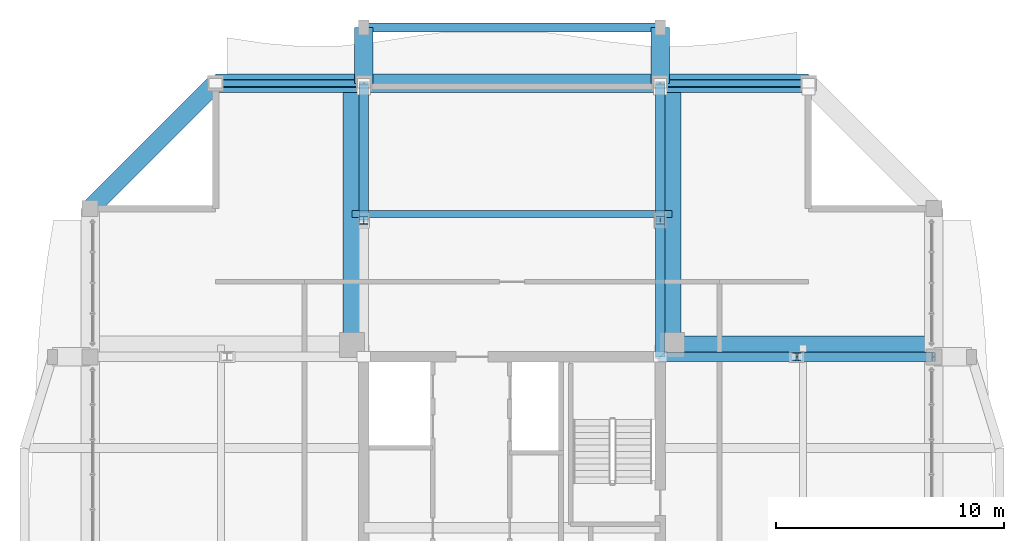
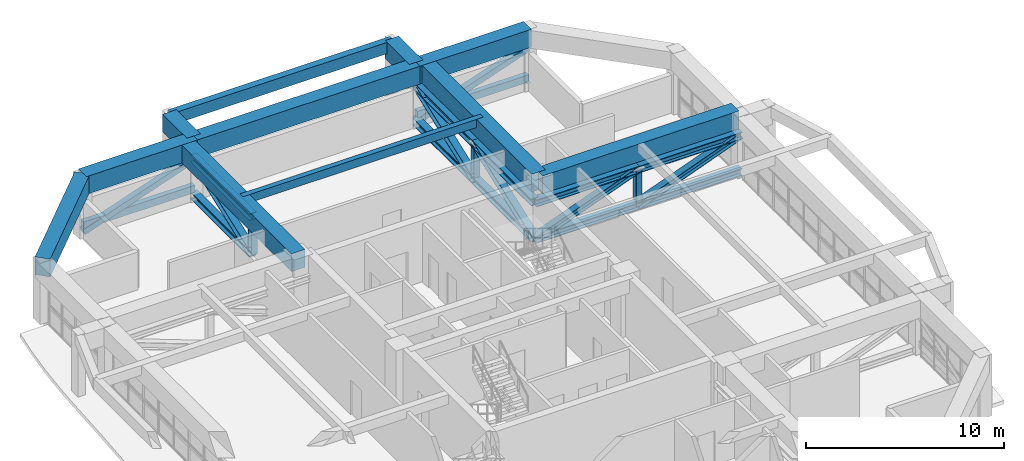
# One storey, part 17 of 25: 22 members, 11 beams.
"""IFC4 building model written with IfcOpenShell, lengths in metres."""

from ifc_helpers import new_model, si_unit, direction, frame, origin, origin_2d, place, context, subcontext, project, spatial, rectangle, hollow_rectangle, i_section, extrude, source, transform, mapped, material, material_profile, profile_set, type_object, element, save


model = new_model("IFC4")

# Units and contexts
model_context = context("Model", 3, precision=1e-05, world=origin(), true_north=direction((0.0, 1.0)))
body_context = subcontext(model_context, "Body", "Model", "MODEL_VIEW")
ifc_project = project(units=[si_unit("LENGTHUNIT", "METRE"), si_unit("AREAUNIT", "SQUARE_METRE"), si_unit("VOLUMEUNIT", "CUBIC_METRE"), si_unit("PLANEANGLEUNIT", "RADIAN"), si_unit("MASSUNIT", "GRAM", prefix="KILO")], contexts=[model_context])

# Site, building, storey
site_placement = place(None, origin())
site = spatial("IfcSite", under=ifc_project, at=site_placement, CompositionType="ELEMENT")
building_placement = place(site_placement, origin())
building = spatial("IfcBuilding", under=site, at=building_placement, Name="Saelheon Loggia Tower", CompositionType="ELEMENT")
storey_placement = place(building_placement, frame((0.0, 0.0, 206.5)))
storey = spatial("IfcBuildingStorey", under=building, at=storey_placement, Name="L64", CompositionType="ELEMENT", Elevation=206.5)

# Beams
ifc_material_1 = material(Name="Concrete C40/50", Category="concrete")
ifc_material_profile_1 = material_profile(ifc_material_1, rectangle(XDim=0.300048828125, YDim=0.5, at=origin_2d()), Name="RC-300x500")
ifc_profile_set_1 = profile_set([ifc_material_profile_1], Name="Concrete C40/50")
beam_type_1 = type_object("IfcBeamType", Name="Beam_Joist_RC300x500", PredefinedType="JOIST", material=ifc_profile_set_1)
shared_shape_1 = source(origin(), body_context, "Body", "SweptSolid", [
    extrude(rectangle(XDim=0.300048828125, YDim=0.5, at=origin_2d()), origin(), (0.0, 0.0, 1.0), 14.0400390625),
])
beam_1_placement = place(storey_placement, frame((30.97998046875, 42.260009765625, 3.550048828125), z_axis=(1.0, 0.0, 0.0), x_axis=(0.0, 1.0, 0.0)))
element("IfcBeam", 1, at=beam_1_placement, inside=storey, type_object=beam_type_1, Name="L64 North Floor Joist", PredefinedType="JOIST", context=body_context, shape_type="MappedRepresentation", body=[
    mapped(shared_shape_1, transform((0.0, 0.0, 0.0), scale=1.0)),
])
ifc_material_2 = material(Name="Concrete C50/60", Category="concrete")
ifc_material_profile_2 = material_profile(ifc_material_2, rectangle(XDim=0.800048828125, YDim=1.10009765625, at=origin_2d()), Name="RC-800x1100")
ifc_profile_set_2 = profile_set([ifc_material_profile_2], Name="Concrete C50/60")
beam_type_2 = type_object("IfcBeamType", Name="Beam_PerimSetback_RC800x1100", PredefinedType="BEAM", material=ifc_profile_set_2)
shared_shape_2 = source(origin(), body_context, "Body", "SweptSolid", [
    extrude(rectangle(XDim=0.800048828125, YDim=1.10009765625, at=origin_2d()), origin(), (0.0, 0.0, 1.0), 13.0),
])
beam_2_placement = place(storey_placement, frame((44.5, 48.0, 3.25), z_axis=(-1.0, 0.0, 0.0), x_axis=(0.0, -1.0, 0.0)))
element("IfcBeam", 2, at=beam_2_placement, inside=storey, type_object=beam_type_2, Name="L64 Perimeter Frame Girder 10", PredefinedType="BEAM", context=body_context, shape_type="MappedRepresentation", body=[
    mapped(shared_shape_2, transform((0.0, 0.0, 0.0), scale=1.0)),
])
ifc_material_profile_3 = material_profile(ifc_material_2, rectangle(XDim=0.800048828125, YDim=1.10009765625, at=origin_2d()), Name="RC-800x1100")
ifc_profile_set_3 = profile_set([ifc_material_profile_3], Name="Concrete C50/60")
beam_type_3 = type_object("IfcBeamType", Name="Beam_SetbackTransfer_RC800x1100", PredefinedType="BEAM", material=ifc_profile_set_3)
shared_shape_3 = source(origin(), body_context, "Body", "SweptSolid", [
    extrude(rectangle(XDim=0.800048828125, YDim=1.10009765625, at=origin_2d()), origin(), (0.0, 0.0, 1.0), 11.47998046875),
])
for number, where, z_axis, x_axis, name in (
    (3, (30.97998046875, 36.52001953125, 3.25), (0.0, 1.0, 0.0), (-1.0, 0.0, 0.0), "L64 Radial Floor Girder RAD-NW-N"),
    (4, (45.02001953125, 36.52001953125, 3.25), (0.0, 1.0, 0.0), (-1.0, 0.0, 0.0), "L64 Radial Floor Girder RAD-NE-N"),
    (5, (45.02001953125, 36.52001953125, 3.25), (1.0, 0.0, 0.0), (0.0, 1.0, 0.0), "L64 Radial Floor Girder RAD-NE-E"),
):
    element("IfcBeam", number, at=place(storey_placement, frame(where, z_axis=z_axis, x_axis=x_axis)), inside=storey, type_object=beam_type_3, Name=name, PredefinedType="BEAM", context=body_context, shape_type="MappedRepresentation", body=[
        mapped(shared_shape_3, transform((0.0, 0.0, 0.0), scale=1.0)),
    ])
shared_shape_4 = source(origin(), body_context, "Body", "SweptSolid", [
    extrude(rectangle(XDim=0.800048828125, YDim=1.10009765625, at=origin_2d()), origin(), (0.0, 0.0, 1.0), 2.449951171875),
])
for number, where, z_axis, x_axis, name in (
    (6, (31.5, 48.0, 3.25), (0.0, 1.0, 0.0), (-1.0, 0.0, 0.0), "L64 Loggia Frame Tie Beam LP-N1"),
    (7, (44.5, 48.0, 3.25), (0.0, 1.0, 0.0), (-1.0, 0.0, 0.0), "L64 Loggia Frame Tie Beam LP-N2"),
):
    element("IfcBeam", number, at=place(storey_placement, frame(where, z_axis=z_axis, x_axis=x_axis)), inside=storey, type_object=beam_type_2, Name=name, PredefinedType="BEAM", context=body_context, shape_type="MappedRepresentation", body=[
        mapped(shared_shape_4, transform((0.0, 0.0, 0.0), scale=1.0)),
    ])
ifc_material_3 = material(Name="Precast Concrete C45/55", Category="concrete")
ifc_material_profile_4 = material_profile(ifc_material_3, rectangle(XDim=0.39990234375, YDim=0.699951171875, at=origin_2d()), Name="RC-400x700")
ifc_profile_set_4 = profile_set([ifc_material_profile_4], Name="Precast Concrete C45/55")
beam_type_4 = type_object("IfcBeamType", Name="Beam_LoggiaSpandrel_RC400x700", PredefinedType="SPANDREL", material=ifc_profile_set_4)
shared_shape_5 = source(origin(), body_context, "Body", "SweptSolid", [
    extrude(rectangle(XDim=0.39990234375, YDim=0.699951171875, at=origin_2d()), origin(), (0.0, 0.0, 1.0), 13.0),
])
beam_3_placement = place(storey_placement, frame((31.5, 50.449951171875, 3.449951171875), z_axis=(1.0, 0.0, 0.0), x_axis=(0.0, 1.0, 0.0)))
element("IfcBeam", 8, at=beam_3_placement, inside=storey, type_object=beam_type_4, Name="L64 Loggia Spandrel Beam N", PredefinedType="SPANDREL", context=body_context, shape_type="MappedRepresentation", body=[
    mapped(shared_shape_5, transform((0.0, 0.0, 0.0), scale=1.0)),
])
shared_shape_6 = source(origin(), body_context, "Body", "SweptSolid", [
    extrude(rectangle(XDim=0.800048828125, YDim=1.10009765625, at=origin_2d()), origin(), (0.0, 0.0, 1.0), 6.5),
])
for number, where, z_axis, x_axis, name in (
    (9, (51.0, 48.0, 3.25), (-1.0, 0.0, 0.0), (0.0, -1.0, 0.0), "L64 Perimeter Frame Girder 09"),
    (10, (31.5, 48.0, 3.25), (-1.0, 0.0, 0.0), (0.0, -1.0, 0.0), "L64 Perimeter Frame Girder 11"),
):
    element("IfcBeam", number, at=place(storey_placement, frame(where, z_axis=z_axis, x_axis=x_axis)), inside=storey, type_object=beam_type_2, Name=name, PredefinedType="BEAM", context=body_context, shape_type="MappedRepresentation", body=[
        mapped(shared_shape_6, transform((0.0, 0.0, 0.0), scale=1.0)),
    ])
shared_shape_7 = source(origin(), body_context, "Body", "SweptSolid", [
    extrude(rectangle(XDim=0.800048828125, YDim=1.10009765625, at=origin_2d()), origin(), (0.0, 0.0, 1.0), 7.778076171875),
])
beam_4_placement = place(storey_placement, frame((25.0, 48.0, 3.25), z_axis=(-0.707106781187, -0.707106781187, 0.0), x_axis=(0.707106781187, -0.707106781187, 0.0)))
element("IfcBeam", 11, at=beam_4_placement, inside=storey, type_object=beam_type_2, Name="L64 Perimeter Frame Girder 12", PredefinedType="BEAM", context=body_context, shape_type="MappedRepresentation", body=[
    mapped(shared_shape_7, transform((0.0, 0.0, 0.0), scale=1.0)),
])

# Members
ifc_material_4 = material(Name="Steel SM355", Category="steel")
ifc_material_profile_5 = material_profile(ifc_material_4, i_section(OverallWidth=0.406982421875, OverallDepth=0.427978515625, WebThickness=0.02001953125, FlangeThickness=0.034912109375, at=origin_2d()), Name="H-428x407x20x35")
ifc_profile_set_5 = profile_set([ifc_material_profile_5], Name="Steel SM355")
member_type_1 = type_object("IfcMemberType", Name="Outrigger_Chord_H428", PredefinedType="CHORD", material=ifc_profile_set_5)
shared_shape_8 = source(origin(), body_context, "Body", "SweptSolid", [
    extrude(i_section(OverallWidth=0.406982421875, OverallDepth=0.427978515625, WebThickness=0.02001953125, FlangeThickness=0.034912109375, at=origin_2d()), origin(), (0.0, 0.0, 1.0), 6.0),
])
for number, where, z_axis, x_axis, name in (
    (12, (31.5, 42.0, 0.219970703125), (0.0, 1.0, 0.0), (-1.0, 0.0, 0.0), "L64 Outrigger Bottom Chord NW-N 2"),
    (13, (31.5, 42.0, 2.469970703125), (0.0, 1.0, 0.0), (-1.0, 0.0, 0.0), "L64 Outrigger Top Chord NW-N 2"),
    (14, (44.5, 36.0, 0.219970703125), (0.0, 1.0, 0.0), (-1.0, 0.0, 0.0), "L64 Outrigger Bottom Chord NE-N 1"),
    (15, (44.5, 42.0, 0.219970703125), (0.0, 1.0, 0.0), (-1.0, 0.0, 0.0), "L64 Outrigger Bottom Chord NE-N 2"),
    (16, (44.5, 36.0, 2.469970703125), (0.0, 1.0, 0.0), (-1.0, 0.0, 0.0), "L64 Outrigger Top Chord NE-N 1"),
    (17, (44.5, 42.0, 2.469970703125), (0.0, 1.0, 0.0), (-1.0, 0.0, 0.0), "L64 Outrigger Top Chord NE-N 2"),
    (18, (44.5, 36.0, 0.219970703125), (1.0, 0.0, 0.0), (0.0, 1.0, 0.0), "L64 Outrigger Bottom Chord NE-E 1"),
    (19, (50.5, 36.0, 0.219970703125), (1.0, 0.0, 0.0), (0.0, 1.0, 0.0), "L64 Outrigger Bottom Chord NE-E 2"),
    (20, (44.5, 36.0, 2.469970703125), (1.0, 0.0, 0.0), (0.0, 1.0, 0.0), "L64 Outrigger Top Chord NE-E 1"),
    (21, (50.5, 36.0, 2.469970703125), (1.0, 0.0, 0.0), (0.0, 1.0, 0.0), "L64 Outrigger Top Chord NE-E 2"),
):
    element("IfcMember", number, at=place(storey_placement, frame(where, z_axis=z_axis, x_axis=x_axis)), inside=storey, type_object=member_type_1, Name=name, PredefinedType="CHORD", context=body_context, shape_type="MappedRepresentation", body=[
        mapped(shared_shape_8, transform((0.0, 0.0, 0.0), scale=1.0)),
    ])
ifc_material_profile_6 = material_profile(ifc_material_4, i_section(OverallWidth=0.35009765625, OverallDepth=0.35009765625, WebThickness=0.011962890625, FlangeThickness=0.01904296875, at=origin_2d()), Name="H-350x350x12x19")
ifc_profile_set_6 = profile_set([ifc_material_profile_6], Name="Steel SM355")
member_type_2 = type_object("IfcMemberType", Name="Outrigger_Post_H350", PredefinedType="POST", material=ifc_profile_set_6)
shared_shape_9 = source(origin(), body_context, "Body", "SweptSolid", [
    extrude(i_section(OverallWidth=0.35009765625, OverallDepth=0.35009765625, WebThickness=0.011962890625, FlangeThickness=0.01904296875, at=origin_2d()), origin(), (0.0, 0.0, 1.0), 2.25),
])
for number, where, z_axis, x_axis, name in (
    (22, (31.5, 42.0, 0.219970703125), (0.0, 0.0, 1.0), (1.0, 0.0, 0.0), "L64 Outrigger Web Post NW-N"),
    (23, (44.5, 42.0, 0.219970703125), (0.0, 0.0, 1.0), (1.0, 0.0, 0.0), "L64 Outrigger Web Post NE-N"),
    (24, (50.5, 36.0, 0.219970703125), (0.0, 0.0, 1.0), (1.0, 0.0, 0.0), "L64 Outrigger Web Post NE-E"),
):
    element("IfcMember", number, at=place(storey_placement, frame(where, z_axis=z_axis, x_axis=x_axis)), inside=storey, type_object=member_type_2, Name=name, PredefinedType="POST", context=body_context, shape_type="MappedRepresentation", body=[
        mapped(shared_shape_9, transform((0.0, 0.0, 0.0), scale=1.0)),
    ])
ifc_material_profile_7 = material_profile(ifc_material_4, i_section(OverallWidth=0.39990234375, OverallDepth=0.39990234375, WebThickness=0.012939453125, FlangeThickness=0.02099609375, at=origin_2d()), Name="H-400x400x13x21")
ifc_profile_set_7 = profile_set([ifc_material_profile_7], Name="Steel SM355")
member_type_3 = type_object("IfcMemberType", Name="Outrigger_Brace_H400", PredefinedType="BRACE", material=ifc_profile_set_7)
shared_shape_10 = source(origin(), body_context, "Body", "SweptSolid", [
    extrude(i_section(OverallWidth=0.39990234375, OverallDepth=0.39990234375, WebThickness=0.012939453125, FlangeThickness=0.02099609375, at=origin_2d()), origin(), (0.0, 0.0, 1.0), 6.407958984375),
])
for number, where, z_axis, x_axis, name in (
    (25, (31.5, 42.0, 0.219970703125), (0.0, 0.936329177569, 0.351123441588), (-1.0, 0.0, 0.0), "L64 Outrigger Diagonal NW-N 2"),
    (26, (44.5, 36.0, 0.219970703125), (0.0, 0.936329177569, 0.351123441588), (-1.0, 0.0, 0.0), "L64 Outrigger Diagonal NE-N 1"),
    (27, (44.5, 42.0, 0.219970703125), (0.0, 0.936329177569, 0.351123441588), (-1.0, 0.0, 0.0), "L64 Outrigger Diagonal NE-N 2"),
    (28, (44.5, 36.0, 0.219970703125), (0.936329177569, 0.0, 0.351123441588), (0.0, 1.0, 0.0), "L64 Outrigger Diagonal NE-E 1"),
    (29, (50.5, 36.0, 0.219970703125), (0.936329177569, 0.0, 0.351123441588), (0.0, 1.0, 0.0), "L64 Outrigger Diagonal NE-E 2"),
):
    element("IfcMember", number, at=place(storey_placement, frame(where, z_axis=z_axis, x_axis=x_axis)), inside=storey, type_object=member_type_3, Name=name, PredefinedType="BRACE", context=body_context, shape_type="MappedRepresentation", body=[
        mapped(shared_shape_10, transform((0.0, 0.0, 0.0), scale=1.0)),
    ])
ifc_material_profile_8 = material_profile(ifc_material_4, hollow_rectangle(XDim=0.300048828125, YDim=0.449951171875, WallThickness=0.02001953125, at=origin_2d()), Name="RHS-450x300x20")
ifc_profile_set_8 = profile_set([ifc_material_profile_8], Name="Steel SM355")
member_type_4 = type_object("IfcMemberType", Name="Belt_Chord_RHS450", PredefinedType="CHORD", material=ifc_profile_set_8)
shared_shape_11 = source(origin(), body_context, "Body", "SweptSolid", [
    extrude(hollow_rectangle(XDim=0.300048828125, YDim=0.449951171875, WallThickness=0.02001953125, at=origin_2d()), origin(), (0.0, 0.0, 1.0), 6.5),
])
for number, where, z_axis, x_axis, name in (
    (30, (25.0, 48.0, 0.6201171875), (1.0, 0.0, 0.0), (0.0, 1.0, 0.0), "L64 Belt Truss Chord BN1"),
    (31, (44.5, 48.0, 0.6201171875), (1.0, 0.0, 0.0), (0.0, 1.0, 0.0), "L64 Belt Truss Chord BN2"),
):
    element("IfcMember", number, at=place(storey_placement, frame(where, z_axis=z_axis, x_axis=x_axis)), inside=storey, type_object=member_type_4, Name=name, PredefinedType="CHORD", context=body_context, shape_type="MappedRepresentation", body=[
        mapped(shared_shape_11, transform((0.0, 0.0, 0.0), scale=1.0)),
    ])
ifc_material_profile_9 = material_profile(ifc_material_4, hollow_rectangle(XDim=0.35009765625, YDim=0.35009765625, WallThickness=0.01611328125, at=origin_2d()), Name="RHS-350x350x16")
ifc_profile_set_9 = profile_set([ifc_material_profile_9], Name="Steel SM355")
member_type_5 = type_object("IfcMemberType", Name="Belt_Brace_RHS350", PredefinedType="BRACE", material=ifc_profile_set_9)
shared_shape_12 = source(origin(), body_context, "Body", "SweptSolid", [
    extrude(hollow_rectangle(XDim=0.35009765625, YDim=0.35009765625, WallThickness=0.01611328125, at=origin_2d()), origin(), (0.0, 0.0, 1.0), 6.87841796875),
])
for number, where, z_axis, x_axis, name in (
    (32, (25.0, 48.0, 0.219970703125), (0.94498607344, 0.0, 0.327110563883), (0.0, 1.0, 0.0), "L64 Belt Truss Brace BN1"),
    (33, (44.5, 48.0, 0.219970703125), (0.94498607344, 0.0, 0.327110563883), (0.0, 1.0, 0.0), "L64 Belt Truss Brace BN2"),
):
    element("IfcMember", number, at=place(storey_placement, frame(where, z_axis=z_axis, x_axis=x_axis)), inside=storey, type_object=member_type_5, Name=name, PredefinedType="BRACE", context=body_context, shape_type="MappedRepresentation", body=[
        mapped(shared_shape_12, transform((0.0, 0.0, 0.0), scale=1.0)),
    ])

save(model, "model.ifc")
